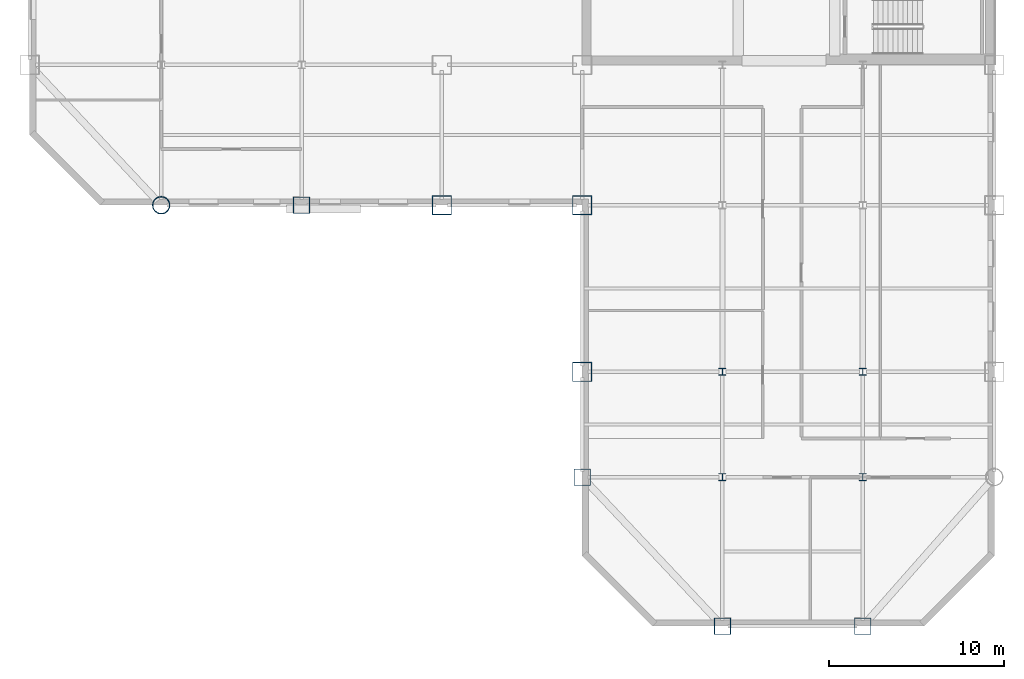
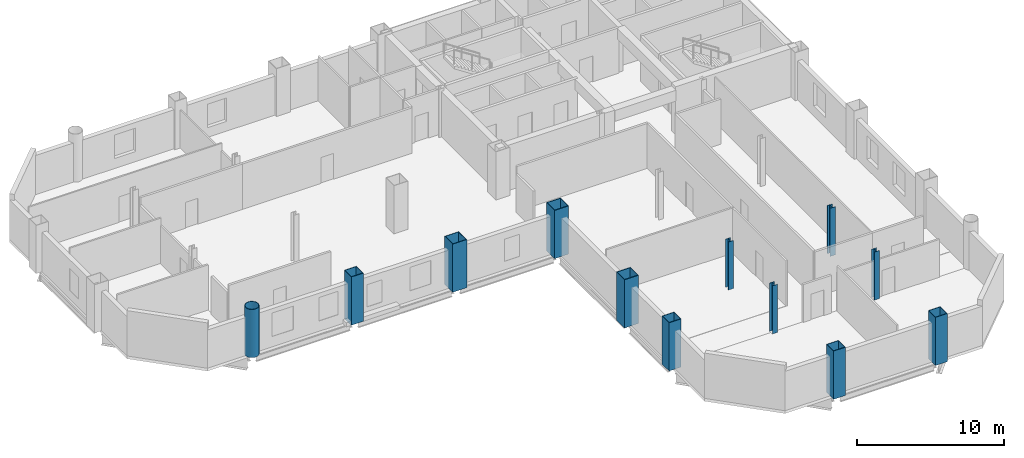
# One storey, part 1 of 9: 12 columns.
"""IFC4 building model written with IfcOpenShell, lengths in metres."""

import ifcopenshell
import ifcopenshell.guid

model = None  # the IFC model being written
_history = None  # IfcOwnerHistory: only IFC2X3 demands one
_inside = {}  # id of a spatial element -> (the spatial element, [elements in it])
_under = {}  # id of a project, library or spatial element -> (it, [spatial elements below it])
_declared = {}  # id of a project -> (the project, [libraries it declares])
_typed = {}  # id of a type object -> (the type object, [elements of that type])
_made_of = {}  # id of a material, layer set ... -> (it, [elements and type objects made of it])


def new_model(schema):
    """Start an empty IFC model of exactly this schema.

    Asked for "IFC4X3", IfcOpenShell would pick the latest addendum, in which some entities
    have other attributes; the version numbers below select the first issue.
    IFC2X3 requires an IfcOwnerHistory on every rooted entity: one is made here for all.
    """
    global model, _history
    if schema == "IFC4X3":
        model = ifcopenshell.file(schema_version=(4, 3, 0, 0))
    else:
        model = ifcopenshell.file(schema=schema)
    _inside.clear()
    _under.clear()
    _declared.clear()
    _typed.clear()
    _made_of.clear()
    _history = None
    if model.schema == "IFC2X3":
        org = make("IfcOrganization", Name="unknown")
        user = make(
            "IfcPersonAndOrganization",
            ThePerson=make("IfcPerson", FamilyName="unknown"),
            TheOrganization=org,
        )
        app = make(
            "IfcApplication",
            ApplicationDeveloper=org,
            Version="unknown",
            ApplicationFullName="unknown",
            ApplicationIdentifier="unknown",
        )
        _history = make(
            "IfcOwnerHistory",
            OwningUser=user,
            OwningApplication=app,
            ChangeAction="ADDED",
            CreationDate=0,
        )
    return model


def make(cls, **values):
    """One entity of the class cls with the attributes given. An attribute that is None is left unset."""
    return model.create_entity(
        cls, **{name: value for name, value in values.items() if value is not None}
    )


def rooted(cls, **values):
    """An entity with a GlobalId (a new one), such as an element, a storey or a relation."""
    return make(cls, GlobalId=ifcopenshell.guid.new(), OwnerHistory=_history, **values)


def si_unit(unit_type, name, prefix=None):
    """IfcSIUnit, for example si_unit("LENGTHUNIT", "METRE", prefix="MILLI")."""
    return make("IfcSIUnit", UnitType=unit_type, Prefix=prefix, Name=name)


def assignment(units):
    """IfcUnitAssignment: the units of a project."""
    return None if units is None else make("IfcUnitAssignment", Units=units)


def point(xyz):
    """IfcCartesianPoint."""
    return None if xyz is None else make("IfcCartesianPoint", Coordinates=xyz)


def direction(xyz):
    """IfcDirection."""
    return None if xyz is None else make("IfcDirection", DirectionRatios=xyz)


def frame(location, z_axis=None, x_axis=None):
    """IfcAxis2Placement3D, a coordinate frame: its origin and axes. An axis left out is left unset."""
    return make(
        "IfcAxis2Placement3D",
        Location=point(location),
        Axis=direction(z_axis),
        RefDirection=direction(x_axis),
    )


def frame_2d(location, x_axis=None):
    """IfcAxis2Placement2D, a coordinate frame in the plane: its origin and x axis."""
    return make(
        "IfcAxis2Placement2D", Location=point(location), RefDirection=direction(x_axis)
    )


def origin():
    """The frame at (0, 0, 0) with its axes left unset."""
    return frame((0.0, 0.0, 0.0))


def origin_2d():
    """The frame at (0, 0) in the plane with its x axis left unset."""
    return frame_2d((0.0, 0.0))


def place(relative_to, where):
    """IfcLocalPlacement: puts the frame where relative to a parent placement (None: the world)."""
    return make(
        "IfcLocalPlacement", PlacementRelTo=relative_to, RelativePlacement=where
    )


def context(
    kind, dimensions, precision=None, world=None, true_north=None, identifier=None
):
    """IfcGeometricRepresentationContext, for example the 3D "Model" context."""
    return make(
        "IfcGeometricRepresentationContext",
        ContextIdentifier=identifier,
        ContextType=kind,
        CoordinateSpaceDimension=dimensions,
        Precision=precision,
        WorldCoordinateSystem=world,
        TrueNorth=true_north,
    )


def subcontext(parent, identifier, kind, view, scale=None):
    """IfcGeometricRepresentationSubContext, for example "Body" below "Model"."""
    return make(
        "IfcGeometricRepresentationSubContext",
        ContextIdentifier=identifier,
        ContextType=kind,
        ParentContext=parent,
        TargetScale=scale,
        TargetView=view,
    )


def project(units=None, contexts=None):
    """IfcProject with its units and contexts."""
    return rooted(
        "IfcProject",
        Name="project",
        RepresentationContexts=contexts,
        UnitsInContext=assignment(units),
    )


def spatial(cls, under=None, at=None, **own):
    """A site, building, storey or space (cls), placed at a placement, below another one or the project."""
    s = rooted(cls, ObjectPlacement=at, **own)
    if under is not None:
        _under.setdefault(under.id(), (under, []))[1].append(s)
    return s


def profile(cls, at=None, kind="AREA", **sizes):
    """A parametric profile (cls). Its sizes go by their IFC names, for example OverallWidth=200.0."""
    return make(cls, ProfileType=kind, Position=at, **sizes)


def hollow_rectangle(**sizes):
    """IfcRectangleHollowProfileDef."""
    return profile("IfcRectangleHollowProfileDef", **sizes)


def hollow_circle(**sizes):
    """IfcCircleHollowProfileDef."""
    return profile("IfcCircleHollowProfileDef", **sizes)


def i_section(**sizes):
    """IfcIShapeProfileDef."""
    return profile("IfcIShapeProfileDef", **sizes)


def extrude(swept, where, along, depth):
    """IfcExtrudedAreaSolid: the profile swept, set in the frame where, extruded along a direction by depth."""
    return make(
        "IfcExtrudedAreaSolid",
        SweptArea=swept,
        Position=where,
        ExtrudedDirection=direction(along),
        Depth=depth,
    )


def shape(context_of_items, identifier, shape_type, items):
    """IfcShapeRepresentation: the items that make up one representation, for example the "Body"."""
    return make(
        "IfcShapeRepresentation",
        ContextOfItems=context_of_items,
        RepresentationIdentifier=identifier,
        RepresentationType=shape_type,
        Items=items,
    )


def material(Name=None, Category=None):
    """IfcMaterial."""
    return make("IfcMaterial", Name=Name, Category=Category)


def material_profile(
    of_material, cross_section, Name=None, Category=None, Priority=None
):
    """IfcMaterialProfile: a cross section and its material."""
    return make(
        "IfcMaterialProfile",
        Name=Name,
        Material=of_material,
        Profile=cross_section,
        Priority=Priority,
        Category=Category,
    )


def profile_set(profiles, Name=None, composite=None):
    """IfcMaterialProfileSet."""
    return make(
        "IfcMaterialProfileSet",
        Name=Name,
        MaterialProfiles=profiles,
        CompositeProfile=composite,
    )


def made_of(thing, what):
    """Note that an element or type object is made of a material, layer set ...; save() writes the relation."""
    if what is not None:
        _made_of.setdefault(what.id(), (what, []))[1].append(thing)
    return thing


def type_object(cls, material=None, **own):
    """A type object (cls), such as IfcWallType, which elements share."""
    return made_of(rooted(cls, **own), material)


def element(
    cls,
    number,
    at=None,
    inside=None,
    cuts=None,
    type_object=None,
    material=None,
    context=None,
    identifier="Body",
    shape_type=None,
    held_by="IfcProductDefinitionShape",
    body=None,
    shapes=None,
    **own,
):
    """One element of the class cls, such as IfcWall. Its Tag is "e" and its number.

    at: its placement. inside: the storey or other place that contains it. cuts: it is an
    opening in that element (IfcRelVoidsElement). A single representation is given by context,
    identifier, shape_type and body (its items); several are given by shapes. held_by: the class
    of the entity that holds the representations. save() writes the other relations.
    """
    e = rooted(cls, Tag="e%d" % number, ObjectPlacement=at, **own)
    if body is not None:
        shapes = [shape(context, identifier, shape_type, body)]
    if shapes is not None:
        e.Representation = make(held_by, Representations=shapes)
    if inside is not None:
        _inside.setdefault(inside.id(), (inside, []))[1].append(e)
    if cuts is not None:
        rooted(
            "IfcRelVoidsElement", RelatingBuildingElement=cuts, RelatedOpeningElement=e
        )
    if type_object is not None:
        _typed.setdefault(type_object.id(), (type_object, []))[1].append(e)
    return made_of(e, material)


def aggregate(whole, parts):
    """IfcRelAggregates: a whole, such as a stair, and the parts it consists of."""
    return rooted("IfcRelAggregates", RelatingObject=whole, RelatedObjects=parts)


def save(model, path):
    """Write the relations noted so far, then the file.

    IfcRelAggregates (storeys below a building ...), IfcRelContainedInSpatialStructure (elements
    in a storey), IfcRelDefinesByType, IfcRelAssociatesMaterial and IfcRelDeclares: one each for
    every whole, place, type object, material and project.
    """
    for whole, parts in _under.values():
        aggregate(whole, parts)
    for where, things in _inside.values():
        rooted(
            "IfcRelContainedInSpatialStructure",
            RelatedElements=things,
            RelatingStructure=where,
        )
    for kind, things in _typed.values():
        rooted("IfcRelDefinesByType", RelatedObjects=things, RelatingType=kind)
    for what, things in _made_of.values():
        rooted("IfcRelAssociatesMaterial", RelatedObjects=things, RelatingMaterial=what)
    for by, libraries in _declared.values():
        rooted("IfcRelDeclares", RelatingContext=by, RelatedDefinitions=libraries)
    model.write(path)


model = new_model("IFC4")

# Units and contexts
model_context = context("Model", 3, precision=1e-05, world=origin(), true_north=direction((0.0, 1.0)))
body_context = subcontext(model_context, "Body", "Model", "MODEL_VIEW")
ifc_project = project(units=[si_unit("LENGTHUNIT", "METRE"), si_unit("AREAUNIT", "SQUARE_METRE"), si_unit("VOLUMEUNIT", "CUBIC_METRE"), si_unit("PLANEANGLEUNIT", "RADIAN"), si_unit("MASSUNIT", "GRAM", prefix="KILO")], contexts=[model_context])

# Site, building, storey
site_placement = place(None, origin())
site = spatial("IfcSite", under=ifc_project, at=site_placement, CompositionType="ELEMENT")
building_placement = place(site_placement, origin())
building = spatial("IfcBuilding", under=site, at=building_placement, Name="Qianrong Seaharbour Tower", CompositionType="ELEMENT")
storey_placement = place(building_placement, frame((0.0, 0.0, 155.0)))
storey = spatial("IfcBuildingStorey", under=building, at=storey_placement, Name="L37", CompositionType="ELEMENT", Elevation=155.0)

# Columns
ifc_material = material(Name="Structural steel SN490B", Category="steel")
ifc_material_profile_1 = material_profile(ifc_material, hollow_rectangle(XDim=1.10009765625, YDim=1.10009765625, WallThickness=0.0400390625, at=origin_2d()), Name="BOX1100x1100x40")
ifc_profile_set_1 = profile_set([ifc_material_profile_1], Name="Structural steel SN490B")
column_type_1 = type_object("IfcColumnType", Name="COL-CFT-1100", PredefinedType="COLUMN", material=ifc_profile_set_1)
for number, where, z_axis, x_axis, name in (
    (1, (32.5, 28.0, 0.0), (0.0, 0.0, 1.0), (1.0, 0.0, 0.0), "L37 Column MC-3 at G5/GE"),
    (2, (40.5, 18.5, 0.0), (0.0, 0.0, 1.0), (1.0, 0.0, 0.0), "L37 Column MC-3 at G6/GD"),
    (3, (40.5, 28.0, 0.0), (0.0, 0.0, 1.0), (1.0, 0.0, 0.0), "L37 Column MC-3 at G6/GE"),
):
    element("IfcColumn", number, at=place(storey_placement, frame(where, z_axis=z_axis, x_axis=x_axis)), inside=storey, type_object=column_type_1, Name=name, PredefinedType="COLUMN", context=body_context, shape_type="SweptSolid", body=[
        extrude(hollow_rectangle(XDim=1.10009765625, YDim=1.10009765625, WallThickness=0.0400390625, at=origin_2d()), origin(), (0.0, 0.0, 1.0), 4.0),
    ])
ifc_material_profile_2 = material_profile(ifc_material, hollow_circle(Radius=0.5, WallThickness=0.035888671875, at=origin_2d()), Name="CHS1000x36")
ifc_profile_set_2 = profile_set([ifc_material_profile_2], Name="Structural steel SN490B")
column_type_2 = type_object("IfcColumnType", Name="COL-CHS-1000", PredefinedType="COLUMN", material=ifc_profile_set_2)
column_placement = place(storey_placement, frame((16.5, 28.0, 0.0), z_axis=(0.0, 0.0, 1.0), x_axis=(1.0, 0.0, 0.0)))
element("IfcColumn", 4, at=column_placement, inside=storey, type_object=column_type_2, Name="L37 Column CC-2 at G3/GE", PredefinedType="COLUMN", context=body_context, shape_type="SweptSolid", body=[
    extrude(hollow_circle(Radius=0.5, WallThickness=0.035888671875, at=origin_2d()), origin(), (0.0, 0.0, 1.0), 4.0),
])
ifc_material_profile_3 = material_profile(ifc_material, i_section(OverallWidth=0.39990234375, OverallDepth=0.39990234375, WebThickness=0.012939453125, FlangeThickness=0.02099609375, FilletRadius=0.02197265625, at=origin_2d()), Name="H400x400x13x21")
ifc_profile_set_3 = profile_set([ifc_material_profile_3], Name="Structural steel SN490B")
column_type_3 = type_object("IfcColumnType", Name="COL-INT-H400", PredefinedType="COLUMN", material=ifc_profile_set_3)
for number, where, z_axis, x_axis, name in (
    (5, (48.5, 12.5, 0.0), (0.0, 0.0, 1.0), (1.0, 0.0, 0.0), "L37 Column IC-3 at G7/GC"),
    (6, (48.5, 18.5, 0.0), (0.0, 0.0, 1.0), (1.0, 0.0, 0.0), "L37 Column IC-3 at G7/GD"),
    (7, (56.5, 12.5, 0.0), (0.0, 0.0, 1.0), (1.0, 0.0, 0.0), "L37 Column IC-3 at G8/GC"),
    (8, (56.5, 18.5, 0.0), (0.0, 0.0, 1.0), (1.0, 0.0, 0.0), "L37 Column IC-3 at G8/GD"),
):
    element("IfcColumn", number, at=place(storey_placement, frame(where, z_axis=z_axis, x_axis=x_axis)), inside=storey, type_object=column_type_3, Name=name, PredefinedType="COLUMN", context=body_context, shape_type="SweptSolid", body=[
        extrude(i_section(OverallWidth=0.39990234375, OverallDepth=0.39990234375, WebThickness=0.012939453125, FlangeThickness=0.02099609375, FilletRadius=0.02197265625, at=origin_2d()), origin(), (0.0, 0.0, 1.0), 4.0),
    ])
ifc_material_profile_4 = material_profile(ifc_material, hollow_rectangle(XDim=0.949951171875, YDim=0.949951171875, WallThickness=0.035888671875, at=origin_2d()), Name="BOX950x950x36")
ifc_profile_set_4 = profile_set([ifc_material_profile_4], Name="Structural steel SN490B")
column_type_4 = type_object("IfcColumnType", Name="COL-PER-950", PredefinedType="COLUMN", material=ifc_profile_set_4)
for number, where, z_axis, x_axis, name in (
    (9, (24.5, 28.0, 0.0), (0.0, 0.0, 1.0), (1.0, 0.0, 0.0), "L37 Column PC-2 at G4/GE"),
    (10, (40.5, 12.5, 0.0), (0.0, 0.0, 1.0), (1.0, 0.0, 0.0), "L37 Column PC-2 at G6/GC"),
    (11, (48.5, 4.0, 0.0), (0.0, 0.0, 1.0), (1.0, 0.0, 0.0), "L37 Column PC-2 at G7/GB"),
    (12, (56.5, 4.0, 0.0), (0.0, 0.0, 1.0), (1.0, 0.0, 0.0), "L37 Column PC-2 at G8/GB"),
):
    element("IfcColumn", number, at=place(storey_placement, frame(where, z_axis=z_axis, x_axis=x_axis)), inside=storey, type_object=column_type_4, Name=name, PredefinedType="COLUMN", context=body_context, shape_type="SweptSolid", body=[
        extrude(hollow_rectangle(XDim=0.949951171875, YDim=0.949951171875, WallThickness=0.035888671875, at=origin_2d()), origin(), (0.0, 0.0, 1.0), 4.0),
    ])

save(model, "model.ifc")
